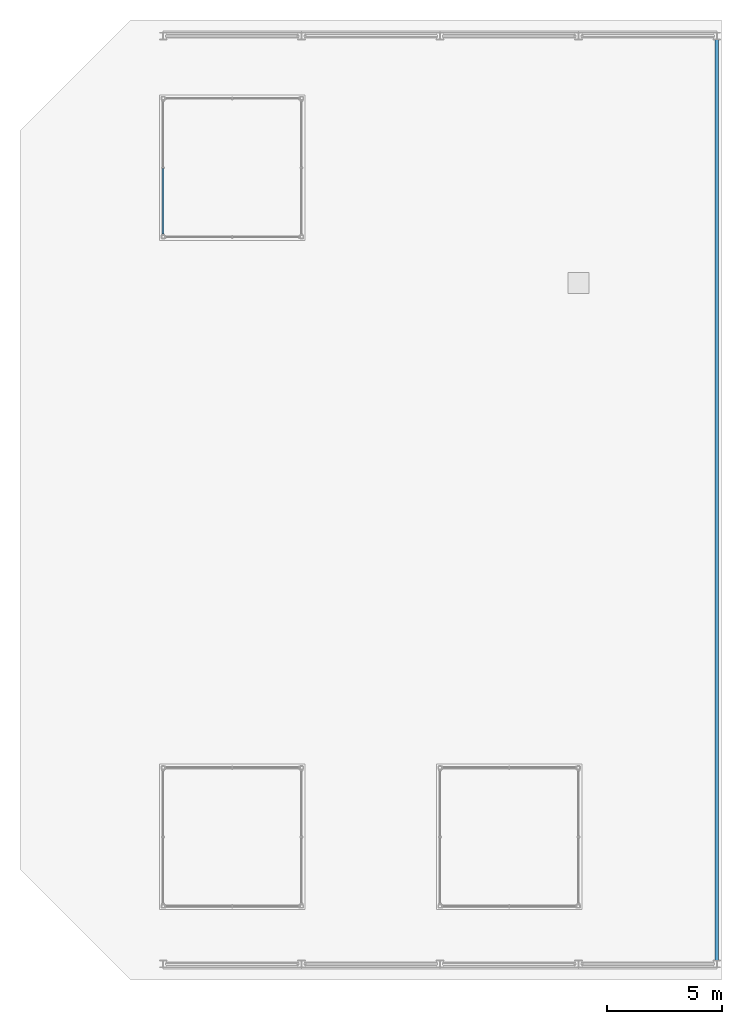
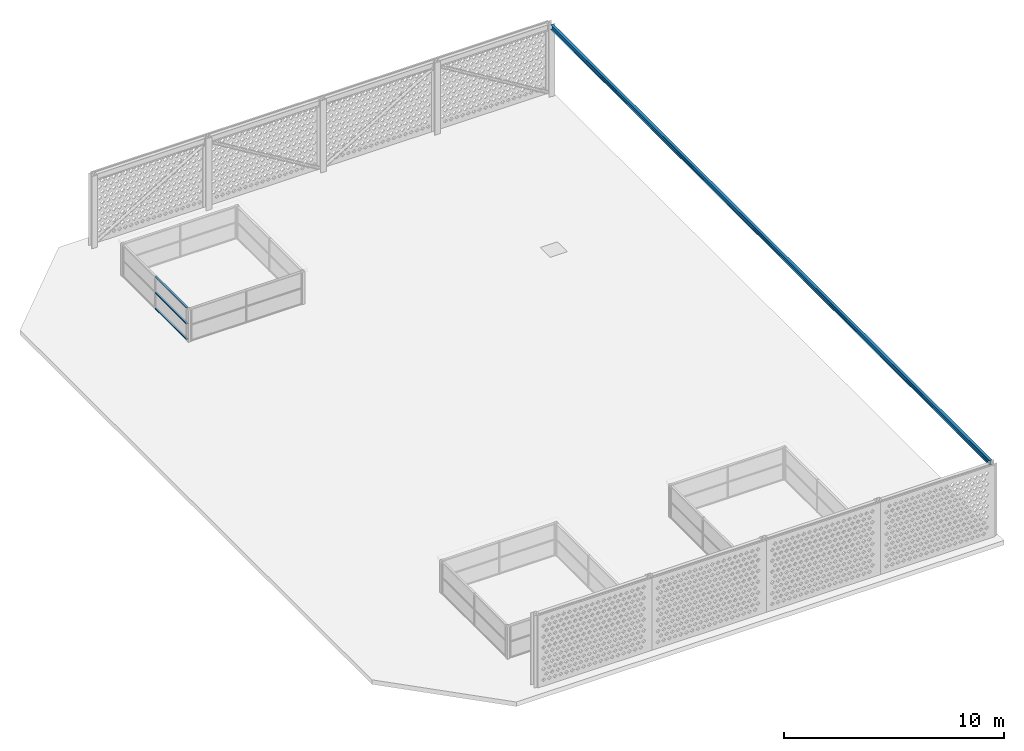
# One storey, part 8 of 10: 3 members, 1 beam, 1 element without a shape of its own.
"""IFC4 building model written with IfcOpenShell, lengths in metres."""

from ifc_helpers import new_model, si_unit, direction, frame, origin, origin_2d, place, context, subcontext, project, spatial, rectangle, i_section, extrude, source, transform, mapped, material, layer, layer_set, material_profile, profile_set, type_object, element, aggregate, save


model = new_model("IFC4")

# Units and contexts
model_context = context("Model", 3, precision=1e-05, world=origin(), true_north=direction((0.0, 1.0)))
body_context = subcontext(model_context, "Body", "Model", "MODEL_VIEW")
ifc_project = project(units=[si_unit("LENGTHUNIT", "METRE"), si_unit("AREAUNIT", "SQUARE_METRE"), si_unit("VOLUMEUNIT", "CUBIC_METRE"), si_unit("PLANEANGLEUNIT", "RADIAN"), si_unit("MASSUNIT", "GRAM", prefix="KILO")], contexts=[model_context])

# Site, building, storey
site_placement = place(None, origin())
site = spatial("IfcSite", under=ifc_project, at=site_placement, CompositionType="ELEMENT")
building_placement = place(site_placement, origin())
building = spatial("IfcBuilding", under=site, at=building_placement, Name="Poui Terraces", CompositionType="ELEMENT")
storey_placement = place(building_placement, frame((0.0, 0.0, 292.199951171875)))
storey = spatial("IfcBuildingStorey", under=building, at=storey_placement, Name="ROOF", CompositionType="ELEMENT", Elevation=292.199951171875)

# Curtain wall, members
ifc_material_1 = material(Name="Clear glass", Category="glass")
ifc_layer = layer(ifc_material_1, 0.1201171875)
ifc_layer_set = layer_set([ifc_layer], Name="Clear glass")
curtain_wall_type = type_object("IfcCurtainWallType", Name="CURTAIN WALL CW-F LANTERN GLAZING", PredefinedType="NOTDEFINED", material=ifc_layer_set)
curtain_wall_placement = place(storey_placement, origin())
curtain_wall = element("IfcCurtainWall", 1, at=curtain_wall_placement, inside=storey, type_object=curtain_wall_type, Name="CW-F LANTERN GLAZING", PredefinedType="NOTDEFINED")
ifc_material_2 = material(Name="Aluminium frame", Category="aluminium")
ifc_material_profile_1 = material_profile(ifc_material_2, rectangle(XDim=0.10009765625, YDim=0.050048828125, at=origin_2d()), Name="CW-F TRANSOM 50X100")
ifc_profile_set_1 = profile_set([ifc_material_profile_1], Name="Aluminium frame")
member_type = type_object("IfcMemberType", Name="CW-F TRANSOM 50X100", PredefinedType="USERDEFINED", material=ifc_profile_set_1)
member_1_placement = place(storey_placement, frame((24.0, 34.97509765625, 0.025146484375), z_axis=(0.0, -1.0, 0.0), x_axis=(1.0, 0.0, 0.0)))
member_1 = element("IfcMember", 2, at=member_1_placement, type_object=member_type, Name="CW-F transom 2.1", ObjectType="TRANSOM", PredefinedType="USERDEFINED", context=body_context, shape_type="SweptSolid", body=[
    extrude(rectangle(XDim=0.10009765625, YDim=0.050048828125, at=origin_2d()), origin(), (0.0, 0.0, 1.0), 2.85009765625),
])
member_2_placement = place(storey_placement, frame((24.0, 34.97509765625, 0.900146484375), z_axis=(0.0, -1.0, 0.0), x_axis=(1.0, 0.0, 0.0)))
member_2 = element("IfcMember", 3, at=member_2_placement, type_object=member_type, Name="CW-F transom 2.2", ObjectType="TRANSOM", PredefinedType="USERDEFINED", context=body_context, shape_type="SweptSolid", body=[
    extrude(rectangle(XDim=0.10009765625, YDim=0.050048828125, at=origin_2d()), origin(), (0.0, 0.0, 1.0), 2.85009765625),
])
member_3_placement = place(storey_placement, frame((24.0, 34.97509765625, 1.775146484375), z_axis=(0.0, -1.0, 0.0), x_axis=(1.0, 0.0, 0.0)))
member_3 = element("IfcMember", 4, at=member_3_placement, type_object=member_type, Name="CW-F transom 2.3", ObjectType="TRANSOM", PredefinedType="USERDEFINED", context=body_context, shape_type="SweptSolid", body=[
    extrude(rectangle(XDim=0.10009765625, YDim=0.050048828125, at=origin_2d()), origin(), (0.0, 0.0, 1.0), 2.85009765625),
])
aggregate(curtain_wall, [member_1, member_2, member_3])

# Beam
ifc_material_3 = material(Name="Steel Grade 300 MPa", Category="steel")
ifc_material_profile_2 = material_profile(ifc_material_3, i_section(OverallWidth=0.14599609375, OverallDepth=0.256103515625, WebThickness=0.00634765625, FlangeThickness=0.010986328125, FilletRadius=0.0087890625, at=origin_2d()), Name="250UB37.3")
ifc_profile_set_2 = profile_set([ifc_material_profile_2], Name="Steel Grade 300 MPa")
beam_type = type_object("IfcBeamType", Name="SCREEN FRAME END BEAM 250UB37.3", PredefinedType="BEAM", material=ifc_profile_set_2)
shared_shape = source(origin(), body_context, "Body", "SweptSolid", [
    extrude(i_section(OverallWidth=0.14599609375, OverallDepth=0.256103515625, WebThickness=0.00634765625, FlangeThickness=0.010986328125, FilletRadius=0.0087890625, at=origin_2d()), origin(), (0.0, 0.0, 1.0), 39.892822265625),
])
beam_placement = place(storey_placement, frame((48.0, 0.653564453125, 3.8720703125), z_axis=(0.0, 1.0, 0.0), x_axis=(-1.0, 0.0, 0.0)))
element("IfcBeam", 5, at=beam_placement, inside=storey, type_object=beam_type, Name="SCREEN FRAME END BEAM 9", PredefinedType="BEAM", context=body_context, shape_type="MappedRepresentation", body=[
    mapped(shared_shape, transform((0.0, 0.0, 0.0))),
])

save(model, "model.ifc")
